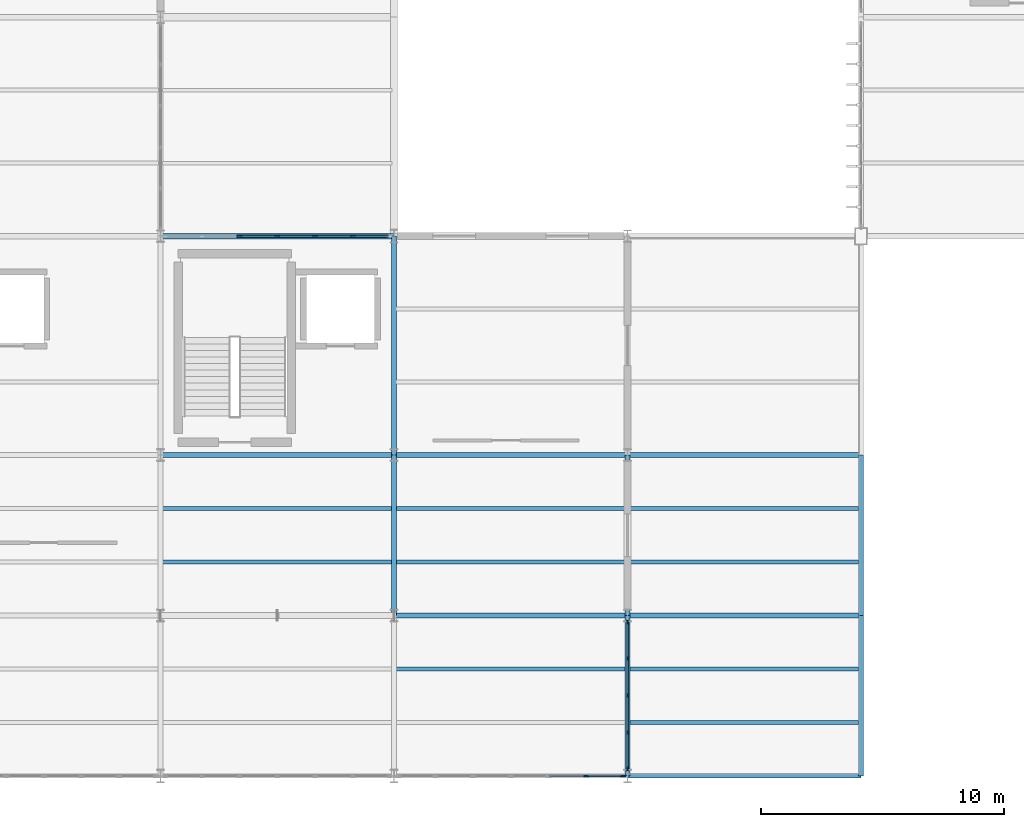
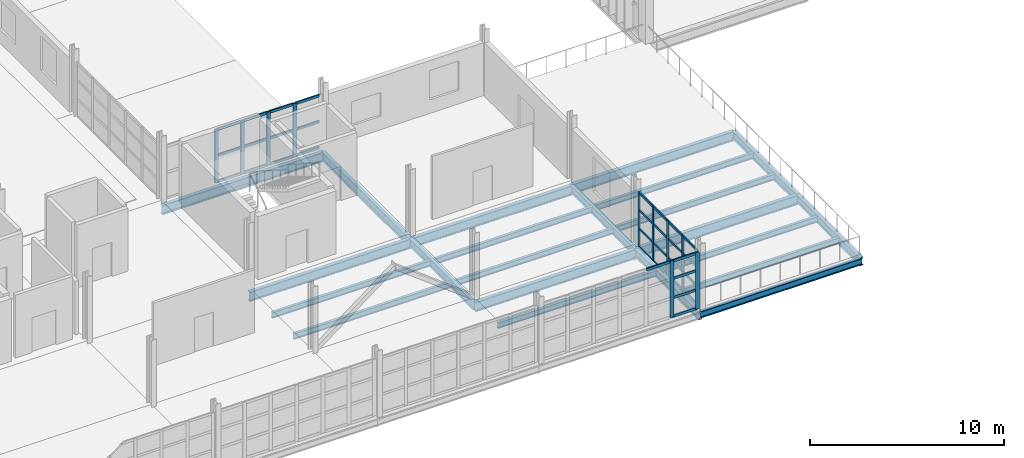
# One storey, part 17 of 82: 44 members, 22 beams, 3 elements without a shape of their own.
"""IFC4 building model written with IfcOpenShell, lengths in metres."""

from ifc_helpers import new_model, si_unit, direction, frame, origin, origin_2d, place, context, subcontext, project, spatial, rectangle, i_section, extrude, material, layer, layer_set, material_profile, profile_set, type_object, element, aggregate, save


model = new_model("IFC4")

# Units and contexts
model_context = context("Model", 3, precision=1e-05, world=origin(), true_north=direction((0.0, 1.0)))
body_context = subcontext(model_context, "Body", "Model", "MODEL_VIEW")
ifc_project = project(units=[si_unit("LENGTHUNIT", "METRE"), si_unit("AREAUNIT", "SQUARE_METRE"), si_unit("VOLUMEUNIT", "CUBIC_METRE"), si_unit("PLANEANGLEUNIT", "RADIAN"), si_unit("MASSUNIT", "GRAM", prefix="KILO")], contexts=[model_context])

# Site, building, storey
site_placement = place(None, origin())
site = spatial("IfcSite", under=ifc_project, at=site_placement, CompositionType="ELEMENT")
building_placement = place(site_placement, origin())
building = spatial("IfcBuilding", under=site, at=building_placement, Name="Zarnetskaya Central Station", CompositionType="ELEMENT")
storey_placement = place(building_placement, frame((0.0, 0.0, 10.199951171875)))
storey = spatial("IfcBuildingStorey", under=building, at=storey_placement, Name="L02", CompositionType="ELEMENT", Elevation=10.199951171875)

# Beams
ifc_material_1 = material(Name="Steel S355", Category="steel")
ifc_material_profile_1 = material_profile(ifc_material_1, i_section(OverallWidth=0.169921875, OverallDepth=0.360107421875, WebThickness=0.008056640625, FlangeThickness=0.0126953125, FilletRadius=0.01806640625, at=origin_2d()), Name="IPE 360")
ifc_profile_set_1 = profile_set([ifc_material_profile_1], Name="Steel S355")
beam_type_1 = type_object("IfcBeamType", Name="BM-SEC-360", PredefinedType="BEAM", material=ifc_profile_set_1)
for number, where, z_axis, x_axis, name in (
    (1, (28.8798828125, 8.800048828125, -0.43994140625), (1.0, 0.0, 0.0), (0.0, 1.0, 0.0), "Secondary floor beam SEC-L02-Z994-DE-23-1"),
    (2, (28.8798828125, 11.0, -0.43994140625), (1.0, 0.0, 0.0), (0.0, 1.0, 0.0), "Secondary floor beam SEC-L02-Z994-DE-23-2"),
):
    element("IfcBeam", number, at=place(storey_placement, frame(where, z_axis=z_axis, x_axis=x_axis)), inside=storey, type_object=beam_type_1, Name=name, PredefinedType="BEAM", context=body_context, shape_type="SweptSolid", body=[
        extrude(i_section(OverallWidth=0.169921875, OverallDepth=0.360107421875, WebThickness=0.008056640625, FlangeThickness=0.0126953125, FilletRadius=0.01806640625, at=origin_2d()), origin(), (0.0, 0.0, 1.0), 9.440185546875),
    ])
for number, where, z_axis, x_axis, name in (
    (3, (38.47998046875, 4.39990234375, -0.43994140625), (1.0, 0.0, 0.0), (0.0, 1.0, 0.0), "Secondary floor beam SEC-L02-Z994-EF-12-2"),
    (4, (38.47998046875, 8.800048828125, -0.43994140625), (1.0, 0.0, 0.0), (0.0, 1.0, 0.0), "Secondary floor beam SEC-L02-Z994-EF-23-1"),
    (5, (38.47998046875, 11.0, -0.43994140625), (1.0, 0.0, 0.0), (0.0, 1.0, 0.0), "Secondary floor beam SEC-L02-Z994-EF-23-2"),
    (6, (48.080078125, 2.199951171875, -0.39990234375), (1.0, 0.0, 0.0), (0.0, 1.0, 0.0), "Secondary floor beam SEC-L02-Z998-FG-12-1"),
    (7, (48.080078125, 4.39990234375, -0.39990234375), (1.0, 0.0, 0.0), (0.0, 1.0, 0.0), "Secondary floor beam SEC-L02-Z998-FG-12-2"),
    (8, (48.080078125, 8.800048828125, -0.39990234375), (1.0, 0.0, 0.0), (0.0, 1.0, 0.0), "Secondary floor beam SEC-L02-Z998-FG-23-1"),
    (9, (48.080078125, 11.0, -0.39990234375), (1.0, 0.0, 0.0), (0.0, 1.0, 0.0), "Secondary floor beam SEC-L02-Z998-FG-23-2"),
):
    element("IfcBeam", number, at=place(storey_placement, frame(where, z_axis=z_axis, x_axis=x_axis)), inside=storey, type_object=beam_type_1, Name=name, PredefinedType="BEAM", context=body_context, shape_type="SweptSolid", body=[
        extrude(i_section(OverallWidth=0.169921875, OverallDepth=0.360107421875, WebThickness=0.008056640625, FlangeThickness=0.0126953125, FilletRadius=0.01806640625, at=origin_2d()), origin(), (0.0, 0.0, 1.0), 9.43994140625),
    ])
ifc_material_profile_2 = material_profile(ifc_material_1, i_section(OverallWidth=0.179931640625, OverallDepth=0.39990234375, WebThickness=0.008544921875, FlangeThickness=0.013427734375, FilletRadius=0.02099609375, at=origin_2d()), Name="IPE 400")
ifc_profile_set_2 = profile_set([ifc_material_profile_2], Name="Steel S355")
beam_type_2 = type_object("IfcBeamType", Name="BM-SPN-V5", PredefinedType="SPANDREL", material=ifc_profile_set_2)
beam_1_placement = place(storey_placement, frame((48.0, 0.0, -0.419921875), z_axis=(1.0, 0.0, 0.0), x_axis=(0.0, 1.0, 0.0)))
element("IfcBeam", 10, at=beam_1_placement, inside=storey, type_object=beam_type_2, Name="Grid girder GX-L02-1-FG", PredefinedType="SPANDREL", context=body_context, shape_type="SweptSolid", body=[
    extrude(i_section(OverallWidth=0.179931640625, OverallDepth=0.39990234375, WebThickness=0.008544921875, FlangeThickness=0.013427734375, FilletRadius=0.02099609375, at=origin_2d()), origin(), (0.0, 0.0, 1.0), 9.60009765625),
])

# Curtain wall, members
ifc_material_2 = material(Name="Low-E insulated glass", Category="glass")
ifc_layer_1 = layer(ifc_material_2, 0.159912109375, Name="Low-E insulated glass", Category="glass")
ifc_layer_set_1 = layer_set([ifc_layer_1], Name="Low-E insulated glass")
curtain_wall_type_1 = type_object("IfcCurtainWallType", Name="CW-SYS-06", PredefinedType="USERDEFINED", material=ifc_layer_set_1)
curtain_wall_1_placement = place(storey_placement, origin())
curtain_wall_1 = element("IfcCurtainWall", 11, at=curtain_wall_1_placement, inside=storey, type_object=curtain_wall_type_1, Name="Curtain wall CW-L02-025", ObjectType="CURTAIN WALL", PredefinedType="USERDEFINED")
ifc_material_3 = material(Name="Anodised aluminium", Category="aluminium")
ifc_material_profile_3 = material_profile(ifc_material_3, rectangle(XDim=0.070068359375, YDim=0.179931640625, at=origin_2d()), Name="ALU MULL 70x180")
ifc_profile_set_3 = profile_set([ifc_material_profile_3], Name="Anodised aluminium")
member_type_1 = type_object("IfcMemberType", Name="CW-MULL-180", PredefinedType="MULLION", material=ifc_profile_set_3)
member_1_placement = place(storey_placement, frame((48.0, 6.31494140625, 0.0), z_axis=(0.0, 0.0, 1.0), x_axis=(1.0, 0.0, 0.0)))
member_1 = element("IfcMember", 12, at=member_1_placement, type_object=member_type_1, Name="CW-02 mullion 1", PredefinedType="MULLION", context=body_context, shape_type="SweptSolid", body=[
    extrude(rectangle(XDim=0.070068359375, YDim=0.179931640625, at=origin_2d()), origin(), (0.0, 0.0, 1.0), 3.449951171875),
])
member_2_placement = place(storey_placement, frame((48.0, 4.831298828125, 0.0), z_axis=(0.0, 0.0, 1.0), x_axis=(1.0, 0.0, 0.0)))
member_2 = element("IfcMember", 13, at=member_2_placement, type_object=member_type_1, Name="CW-02 mullion 2", PredefinedType="MULLION", context=body_context, shape_type="SweptSolid", body=[
    extrude(rectangle(XDim=0.070068359375, YDim=0.179931640625, at=origin_2d()), origin(), (0.0, 0.0, 1.0), 3.449951171875),
])
member_3_placement = place(storey_placement, frame((48.0, 3.3125, 0.0), z_axis=(0.0, 0.0, 1.0), x_axis=(1.0, 0.0, 0.0)))
member_3 = element("IfcMember", 14, at=member_3_placement, type_object=member_type_1, Name="CW-02 mullion 3", PredefinedType="MULLION", context=body_context, shape_type="SweptSolid", body=[
    extrude(rectangle(XDim=0.070068359375, YDim=0.179931640625, at=origin_2d()), origin(), (0.0, 0.0, 1.0), 3.449951171875),
])
member_4_placement = place(storey_placement, frame((48.0, 1.793701171875, 0.0), z_axis=(0.0, 0.0, 1.0), x_axis=(1.0, 0.0, 0.0)))
member_4 = element("IfcMember", 15, at=member_4_placement, type_object=member_type_1, Name="CW-02 mullion 4", PredefinedType="MULLION", context=body_context, shape_type="SweptSolid", body=[
    extrude(rectangle(XDim=0.070068359375, YDim=0.179931640625, at=origin_2d()), origin(), (0.0, 0.0, 1.0), 3.449951171875),
])
member_5_placement = place(storey_placement, frame((48.0, 0.31005859375, 0.0), z_axis=(0.0, 0.0, 1.0), x_axis=(1.0, 0.0, 0.0)))
member_5 = element("IfcMember", 16, at=member_5_placement, type_object=member_type_1, Name="CW-02 mullion 5", PredefinedType="MULLION", context=body_context, shape_type="SweptSolid", body=[
    extrude(rectangle(XDim=0.070068359375, YDim=0.179931640625, at=origin_2d()), origin(), (0.0, 0.0, 1.0), 3.449951171875),
])

ifc_layer_2 = layer(ifc_material_2, 0.172119140625, Name="Low-E insulated glass", Category="glass")
ifc_layer_set_2 = layer_set([ifc_layer_2], Name="Low-E insulated glass")
curtain_wall_type_2 = type_object("IfcCurtainWallType", Name="CW-SYS-04", PredefinedType="USERDEFINED", material=ifc_layer_set_2)
curtain_wall_2_placement = place(storey_placement, origin())
curtain_wall_2 = element("IfcCurtainWall", 17, at=curtain_wall_2_placement, inside=storey, type_object=curtain_wall_type_2, Name="Curtain wall CW-L02-024", ObjectType="CURTAIN WALL", PredefinedType="USERDEFINED")
ifc_material_profile_4 = material_profile(ifc_material_3, rectangle(XDim=0.080078125, YDim=0.219970703125, at=origin_2d()), Name="ALU MULL 80x220")
ifc_profile_set_4 = profile_set([ifc_material_profile_4], Name="Anodised aluminium")
member_type_2 = type_object("IfcMemberType", Name="CW-MULL-220", PredefinedType="MULLION", material=ifc_profile_set_4)
member_6_placement = place(storey_placement, frame((32.050048828125, 22.199951171875, 0.0), z_axis=(0.0, 0.0, 1.0), x_axis=(0.0, 1.0, 0.0)))
member_6 = element("IfcMember", 18, at=member_6_placement, type_object=member_type_2, Name="CW-15 mullion 3", PredefinedType="MULLION", context=body_context, shape_type="SweptSolid", body=[
    extrude(rectangle(XDim=0.080078125, YDim=0.219970703125, at=origin_2d()), origin(), (0.0, 0.0, 1.0), 3.35009765625),
])
member_7_placement = place(storey_placement, frame((33.60009765625, 22.199951171875, 0.0), z_axis=(0.0, 0.0, 1.0), x_axis=(0.0, 1.0, 0.0)))
member_7 = element("IfcMember", 19, at=member_7_placement, type_object=member_type_2, Name="CW-15 mullion 4", PredefinedType="MULLION", context=body_context, shape_type="SweptSolid", body=[
    extrude(rectangle(XDim=0.080078125, YDim=0.219970703125, at=origin_2d()), origin(), (0.0, 0.0, 1.0), 3.35009765625),
])
member_8_placement = place(storey_placement, frame((35.14990234375, 22.199951171875, 0.0), z_axis=(0.0, 0.0, 1.0), x_axis=(0.0, 1.0, 0.0)))
member_8 = element("IfcMember", 20, at=member_8_placement, type_object=member_type_2, Name="CW-15 mullion 5", PredefinedType="MULLION", context=body_context, shape_type="SweptSolid", body=[
    extrude(rectangle(XDim=0.080078125, YDim=0.219970703125, at=origin_2d()), origin(), (0.0, 0.0, 1.0), 3.35009765625),
])
member_9_placement = place(storey_placement, frame((36.699951171875, 22.199951171875, 0.0), z_axis=(0.0, 0.0, 1.0), x_axis=(0.0, 1.0, 0.0)))
member_9 = element("IfcMember", 21, at=member_9_placement, type_object=member_type_2, Name="CW-15 mullion 6", PredefinedType="MULLION", context=body_context, shape_type="SweptSolid", body=[
    extrude(rectangle(XDim=0.080078125, YDim=0.219970703125, at=origin_2d()), origin(), (0.0, 0.0, 1.0), 3.35009765625),
])

curtain_wall_3_placement = place(storey_placement, origin())
curtain_wall_3 = element("IfcCurtainWall", 22, at=curtain_wall_3_placement, inside=storey, type_object=curtain_wall_type_2, Name="Curtain wall CW-L02-026", ObjectType="CURTAIN WALL", PredefinedType="USERDEFINED")
member_10_placement = place(storey_placement, frame((47.81005859375, 0.0, 0.0), z_axis=(0.0, 0.0, 1.0), x_axis=(0.0, -1.0, 0.0)))
member_10 = element("IfcMember", 23, at=member_10_placement, type_object=member_type_2, Name="CW-15 mullion 1", PredefinedType="MULLION", context=body_context, shape_type="SweptSolid", body=[
    extrude(rectangle(XDim=0.080078125, YDim=0.219970703125, at=origin_2d()), origin(), (0.0, 0.0, 1.0), 3.550048828125),
])
member_11_placement = place(storey_placement, frame((46.300048828125, 0.0, 0.0), z_axis=(0.0, 0.0, 1.0), x_axis=(0.0, -1.0, 0.0)))
member_11 = element("IfcMember", 24, at=member_11_placement, type_object=member_type_2, Name="CW-15 mullion 2", PredefinedType="MULLION", context=body_context, shape_type="SweptSolid", body=[
    extrude(rectangle(XDim=0.080078125, YDim=0.219970703125, at=origin_2d()), origin(), (0.0, 0.0, 1.0), 3.550048828125),
])

# Member
ifc_material_profile_5 = material_profile(ifc_material_3, rectangle(XDim=0.070068359375, YDim=0.139892578125, at=origin_2d()), Name="ALU TRAN 70x140")
ifc_profile_set_5 = profile_set([ifc_material_profile_5], Name="Anodised aluminium")
member_type_3 = type_object("IfcMemberType", Name="CW-TRAN-140", PredefinedType="USERDEFINED", material=ifc_profile_set_5)
member_12_placement = place(storey_placement, frame((48.0, 6.280029296875, 0.03515625), z_axis=(0.0, -1.0, 0.0), x_axis=(1.0, 0.0, 0.0)))
member_12 = element("IfcMember", 25, at=member_12_placement, type_object=member_type_3, Name="CW-02 transom 1.1", ObjectType="TRANSOM", PredefinedType="USERDEFINED", context=body_context, shape_type="SweptSolid", body=[
    extrude(rectangle(XDim=0.070068359375, YDim=0.139892578125, at=origin_2d()), origin(), (0.0, 0.0, 1.0), 1.413818359375),
])

member_13_placement = place(storey_placement, frame((48.0, 6.280029296875, 1.173095703125), z_axis=(0.0, -1.0, 0.0), x_axis=(1.0, 0.0, 0.0)))
member_13 = element("IfcMember", 26, at=member_13_placement, type_object=member_type_3, Name="CW-02 transom 1.2", ObjectType="TRANSOM", PredefinedType="USERDEFINED", context=body_context, shape_type="SweptSolid", body=[
    extrude(rectangle(XDim=0.070068359375, YDim=0.139892578125, at=origin_2d()), origin(), (0.0, 0.0, 1.0), 1.413818359375),
])

member_14_placement = place(storey_placement, frame((48.0, 6.280029296875, 2.345947265625), z_axis=(0.0, -1.0, 0.0), x_axis=(1.0, 0.0, 0.0)))
member_14 = element("IfcMember", 27, at=member_14_placement, type_object=member_type_3, Name="CW-02 transom 1.3", ObjectType="TRANSOM", PredefinedType="USERDEFINED", context=body_context, shape_type="SweptSolid", body=[
    extrude(rectangle(XDim=0.070068359375, YDim=0.139892578125, at=origin_2d()), origin(), (0.0, 0.0, 1.0), 1.413818359375),
])

member_15_placement = place(storey_placement, frame((48.0, 6.280029296875, 3.4150390625), z_axis=(0.0, -1.0, 0.0), x_axis=(1.0, 0.0, 0.0)))
member_15 = element("IfcMember", 28, at=member_15_placement, type_object=member_type_3, Name="CW-02 transom 1.4", ObjectType="TRANSOM", PredefinedType="USERDEFINED", context=body_context, shape_type="SweptSolid", body=[
    extrude(rectangle(XDim=0.070068359375, YDim=0.139892578125, at=origin_2d()), origin(), (0.0, 0.0, 1.0), 1.413818359375),
])

member_16_placement = place(storey_placement, frame((48.0, 4.796142578125, 0.03515625), z_axis=(0.0, -1.0, 0.0), x_axis=(1.0, 0.0, 0.0)))
member_16 = element("IfcMember", 29, at=member_16_placement, type_object=member_type_3, Name="CW-02 transom 2.1", ObjectType="TRANSOM", PredefinedType="USERDEFINED", context=body_context, shape_type="SweptSolid", body=[
    extrude(rectangle(XDim=0.070068359375, YDim=0.139892578125, at=origin_2d()), origin(), (0.0, 0.0, 1.0), 1.44873046875),
])

member_17_placement = place(storey_placement, frame((48.0, 4.796142578125, 1.173095703125), z_axis=(0.0, -1.0, 0.0), x_axis=(1.0, 0.0, 0.0)))
member_17 = element("IfcMember", 30, at=member_17_placement, type_object=member_type_3, Name="CW-02 transom 2.2", ObjectType="TRANSOM", PredefinedType="USERDEFINED", context=body_context, shape_type="SweptSolid", body=[
    extrude(rectangle(XDim=0.070068359375, YDim=0.139892578125, at=origin_2d()), origin(), (0.0, 0.0, 1.0), 1.44873046875),
])

member_18_placement = place(storey_placement, frame((48.0, 4.796142578125, 2.345947265625), z_axis=(0.0, -1.0, 0.0), x_axis=(1.0, 0.0, 0.0)))
member_18 = element("IfcMember", 31, at=member_18_placement, type_object=member_type_3, Name="CW-02 transom 2.3", ObjectType="TRANSOM", PredefinedType="USERDEFINED", context=body_context, shape_type="SweptSolid", body=[
    extrude(rectangle(XDim=0.070068359375, YDim=0.139892578125, at=origin_2d()), origin(), (0.0, 0.0, 1.0), 1.44873046875),
])

member_19_placement = place(storey_placement, frame((48.0, 4.796142578125, 3.4150390625), z_axis=(0.0, -1.0, 0.0), x_axis=(1.0, 0.0, 0.0)))
member_19 = element("IfcMember", 32, at=member_19_placement, type_object=member_type_3, Name="CW-02 transom 2.4", ObjectType="TRANSOM", PredefinedType="USERDEFINED", context=body_context, shape_type="SweptSolid", body=[
    extrude(rectangle(XDim=0.070068359375, YDim=0.139892578125, at=origin_2d()), origin(), (0.0, 0.0, 1.0), 1.44873046875),
])

member_20_placement = place(storey_placement, frame((48.0, 3.277587890625, 0.03515625), z_axis=(0.0, -1.0, 0.0), x_axis=(1.0, 0.0, 0.0)))
member_20 = element("IfcMember", 33, at=member_20_placement, type_object=member_type_3, Name="CW-02 transom 3.1", ObjectType="TRANSOM", PredefinedType="USERDEFINED", context=body_context, shape_type="SweptSolid", body=[
    extrude(rectangle(XDim=0.070068359375, YDim=0.139892578125, at=origin_2d()), origin(), (0.0, 0.0, 1.0), 1.44873046875),
])

member_21_placement = place(storey_placement, frame((48.0, 3.277587890625, 1.173095703125), z_axis=(0.0, -1.0, 0.0), x_axis=(1.0, 0.0, 0.0)))
member_21 = element("IfcMember", 34, at=member_21_placement, type_object=member_type_3, Name="CW-02 transom 3.2", ObjectType="TRANSOM", PredefinedType="USERDEFINED", context=body_context, shape_type="SweptSolid", body=[
    extrude(rectangle(XDim=0.070068359375, YDim=0.139892578125, at=origin_2d()), origin(), (0.0, 0.0, 1.0), 1.44873046875),
])

member_22_placement = place(storey_placement, frame((48.0, 3.277587890625, 2.345947265625), z_axis=(0.0, -1.0, 0.0), x_axis=(1.0, 0.0, 0.0)))
member_22 = element("IfcMember", 35, at=member_22_placement, type_object=member_type_3, Name="CW-02 transom 3.3", ObjectType="TRANSOM", PredefinedType="USERDEFINED", context=body_context, shape_type="SweptSolid", body=[
    extrude(rectangle(XDim=0.070068359375, YDim=0.139892578125, at=origin_2d()), origin(), (0.0, 0.0, 1.0), 1.44873046875),
])

member_23_placement = place(storey_placement, frame((48.0, 3.277587890625, 3.4150390625), z_axis=(0.0, -1.0, 0.0), x_axis=(1.0, 0.0, 0.0)))
member_23 = element("IfcMember", 36, at=member_23_placement, type_object=member_type_3, Name="CW-02 transom 3.4", ObjectType="TRANSOM", PredefinedType="USERDEFINED", context=body_context, shape_type="SweptSolid", body=[
    extrude(rectangle(XDim=0.070068359375, YDim=0.139892578125, at=origin_2d()), origin(), (0.0, 0.0, 1.0), 1.44873046875),
])

member_24_placement = place(storey_placement, frame((48.0, 1.7587890625, 0.03515625), z_axis=(0.0, -1.0, 0.0), x_axis=(1.0, 0.0, 0.0)))
member_24 = element("IfcMember", 37, at=member_24_placement, type_object=member_type_3, Name="CW-02 transom 4.1", ObjectType="TRANSOM", PredefinedType="USERDEFINED", context=body_context, shape_type="SweptSolid", body=[
    extrude(rectangle(XDim=0.070068359375, YDim=0.139892578125, at=origin_2d()), origin(), (0.0, 0.0, 1.0), 1.413818359375),
])

member_25_placement = place(storey_placement, frame((48.0, 1.7587890625, 1.173095703125), z_axis=(0.0, -1.0, 0.0), x_axis=(1.0, 0.0, 0.0)))
member_25 = element("IfcMember", 38, at=member_25_placement, type_object=member_type_3, Name="CW-02 transom 4.2", ObjectType="TRANSOM", PredefinedType="USERDEFINED", context=body_context, shape_type="SweptSolid", body=[
    extrude(rectangle(XDim=0.070068359375, YDim=0.139892578125, at=origin_2d()), origin(), (0.0, 0.0, 1.0), 1.413818359375),
])

member_26_placement = place(storey_placement, frame((48.0, 1.7587890625, 2.345947265625), z_axis=(0.0, -1.0, 0.0), x_axis=(1.0, 0.0, 0.0)))
member_26 = element("IfcMember", 39, at=member_26_placement, type_object=member_type_3, Name="CW-02 transom 4.3", ObjectType="TRANSOM", PredefinedType="USERDEFINED", context=body_context, shape_type="SweptSolid", body=[
    extrude(rectangle(XDim=0.070068359375, YDim=0.139892578125, at=origin_2d()), origin(), (0.0, 0.0, 1.0), 1.413818359375),
])

member_27_placement = place(storey_placement, frame((48.0, 1.7587890625, 3.4150390625), z_axis=(0.0, -1.0, 0.0), x_axis=(1.0, 0.0, 0.0)))
member_27 = element("IfcMember", 40, at=member_27_placement, type_object=member_type_3, Name="CW-02 transom 4.4", ObjectType="TRANSOM", PredefinedType="USERDEFINED", context=body_context, shape_type="SweptSolid", body=[
    extrude(rectangle(XDim=0.070068359375, YDim=0.139892578125, at=origin_2d()), origin(), (0.0, 0.0, 1.0), 1.413818359375),
])

aggregate(curtain_wall_1, [member_1, member_2, member_3, member_4, member_5, member_12, member_13, member_14, member_15, member_16, member_17, member_18, member_19, member_20, member_21, member_22, member_23, member_24, member_25, member_26, member_27])

ifc_material_profile_6 = material_profile(ifc_material_3, rectangle(XDim=0.080078125, YDim=0.159912109375, at=origin_2d()), Name="ALU TRAN 80x160")
ifc_profile_set_6 = profile_set([ifc_material_profile_6], Name="Anodised aluminium")
member_type_4 = type_object("IfcMemberType", Name="CW-TRAN-160", PredefinedType="USERDEFINED", material=ifc_profile_set_6)
member_28_placement = place(storey_placement, frame((32.090087890625, 22.199951171875, 0.0400390625), z_axis=(1.0, 0.0, 0.0), x_axis=(0.0, 1.0, 0.0)))
member_28 = element("IfcMember", 41, at=member_28_placement, type_object=member_type_4, Name="CW-15 transom 3.1", ObjectType="TRANSOM", PredefinedType="USERDEFINED", context=body_context, shape_type="SweptSolid", body=[
    extrude(rectangle(XDim=0.080078125, YDim=0.159912109375, at=origin_2d()), origin(), (0.0, 0.0, 1.0), 1.469970703125),
])

member_29_placement = place(storey_placement, frame((32.090087890625, 22.199951171875, 1.675048828125), z_axis=(1.0, 0.0, 0.0), x_axis=(0.0, 1.0, 0.0)))
member_29 = element("IfcMember", 42, at=member_29_placement, type_object=member_type_4, Name="CW-15 transom 3.2", ObjectType="TRANSOM", PredefinedType="USERDEFINED", context=body_context, shape_type="SweptSolid", body=[
    extrude(rectangle(XDim=0.080078125, YDim=0.159912109375, at=origin_2d()), origin(), (0.0, 0.0, 1.0), 1.469970703125),
])

member_30_placement = place(storey_placement, frame((32.090087890625, 22.199951171875, 3.31005859375), z_axis=(1.0, 0.0, 0.0), x_axis=(0.0, 1.0, 0.0)))
member_30 = element("IfcMember", 43, at=member_30_placement, type_object=member_type_4, Name="CW-15 transom 3.3", ObjectType="TRANSOM", PredefinedType="USERDEFINED", context=body_context, shape_type="SweptSolid", body=[
    extrude(rectangle(XDim=0.080078125, YDim=0.159912109375, at=origin_2d()), origin(), (0.0, 0.0, 1.0), 1.469970703125),
])

member_31_placement = place(storey_placement, frame((33.639892578125, 22.199951171875, 0.0400390625), z_axis=(1.0, 0.0, 0.0), x_axis=(0.0, 1.0, 0.0)))
member_31 = element("IfcMember", 44, at=member_31_placement, type_object=member_type_4, Name="CW-15 transom 4.1", ObjectType="TRANSOM", PredefinedType="USERDEFINED", context=body_context, shape_type="SweptSolid", body=[
    extrude(rectangle(XDim=0.080078125, YDim=0.159912109375, at=origin_2d()), origin(), (0.0, 0.0, 1.0), 1.47021484375),
])

member_32_placement = place(storey_placement, frame((33.639892578125, 22.199951171875, 1.675048828125), z_axis=(1.0, 0.0, 0.0), x_axis=(0.0, 1.0, 0.0)))
member_32 = element("IfcMember", 45, at=member_32_placement, type_object=member_type_4, Name="CW-15 transom 4.2", ObjectType="TRANSOM", PredefinedType="USERDEFINED", context=body_context, shape_type="SweptSolid", body=[
    extrude(rectangle(XDim=0.080078125, YDim=0.159912109375, at=origin_2d()), origin(), (0.0, 0.0, 1.0), 1.47021484375),
])

member_33_placement = place(storey_placement, frame((33.639892578125, 22.199951171875, 3.31005859375), z_axis=(1.0, 0.0, 0.0), x_axis=(0.0, 1.0, 0.0)))
member_33 = element("IfcMember", 46, at=member_33_placement, type_object=member_type_4, Name="CW-15 transom 4.3", ObjectType="TRANSOM", PredefinedType="USERDEFINED", context=body_context, shape_type="SweptSolid", body=[
    extrude(rectangle(XDim=0.080078125, YDim=0.159912109375, at=origin_2d()), origin(), (0.0, 0.0, 1.0), 1.47021484375),
])

member_34_placement = place(storey_placement, frame((35.18994140625, 22.199951171875, 0.0400390625), z_axis=(1.0, 0.0, 0.0), x_axis=(0.0, 1.0, 0.0)))
member_34 = element("IfcMember", 47, at=member_34_placement, type_object=member_type_4, Name="CW-15 transom 5.1", ObjectType="TRANSOM", PredefinedType="USERDEFINED", context=body_context, shape_type="SweptSolid", body=[
    extrude(rectangle(XDim=0.080078125, YDim=0.159912109375, at=origin_2d()), origin(), (0.0, 0.0, 1.0), 1.469970703125),
])

member_35_placement = place(storey_placement, frame((35.18994140625, 22.199951171875, 1.675048828125), z_axis=(1.0, 0.0, 0.0), x_axis=(0.0, 1.0, 0.0)))
member_35 = element("IfcMember", 48, at=member_35_placement, type_object=member_type_4, Name="CW-15 transom 5.2", ObjectType="TRANSOM", PredefinedType="USERDEFINED", context=body_context, shape_type="SweptSolid", body=[
    extrude(rectangle(XDim=0.080078125, YDim=0.159912109375, at=origin_2d()), origin(), (0.0, 0.0, 1.0), 1.469970703125),
])

member_36_placement = place(storey_placement, frame((35.18994140625, 22.199951171875, 3.31005859375), z_axis=(1.0, 0.0, 0.0), x_axis=(0.0, 1.0, 0.0)))
member_36 = element("IfcMember", 49, at=member_36_placement, type_object=member_type_4, Name="CW-15 transom 5.3", ObjectType="TRANSOM", PredefinedType="USERDEFINED", context=body_context, shape_type="SweptSolid", body=[
    extrude(rectangle(XDim=0.080078125, YDim=0.159912109375, at=origin_2d()), origin(), (0.0, 0.0, 1.0), 1.469970703125),
])

member_37_placement = place(storey_placement, frame((36.739990234375, 22.199951171875, 0.0400390625), z_axis=(1.0, 0.0, 0.0), x_axis=(0.0, 1.0, 0.0)))
member_37 = element("IfcMember", 50, at=member_37_placement, type_object=member_type_4, Name="CW-15 transom 6.1", ObjectType="TRANSOM", PredefinedType="USERDEFINED", context=body_context, shape_type="SweptSolid", body=[
    extrude(rectangle(XDim=0.080078125, YDim=0.159912109375, at=origin_2d()), origin(), (0.0, 0.0, 1.0), 1.429931640625),
])

member_38_placement = place(storey_placement, frame((36.739990234375, 22.199951171875, 1.675048828125), z_axis=(1.0, 0.0, 0.0), x_axis=(0.0, 1.0, 0.0)))
member_38 = element("IfcMember", 51, at=member_38_placement, type_object=member_type_4, Name="CW-15 transom 6.2", ObjectType="TRANSOM", PredefinedType="USERDEFINED", context=body_context, shape_type="SweptSolid", body=[
    extrude(rectangle(XDim=0.080078125, YDim=0.159912109375, at=origin_2d()), origin(), (0.0, 0.0, 1.0), 1.429931640625),
])

member_39_placement = place(storey_placement, frame((36.739990234375, 22.199951171875, 3.31005859375), z_axis=(1.0, 0.0, 0.0), x_axis=(0.0, 1.0, 0.0)))
member_39 = element("IfcMember", 52, at=member_39_placement, type_object=member_type_4, Name="CW-15 transom 6.3", ObjectType="TRANSOM", PredefinedType="USERDEFINED", context=body_context, shape_type="SweptSolid", body=[
    extrude(rectangle(XDim=0.080078125, YDim=0.159912109375, at=origin_2d()), origin(), (0.0, 0.0, 1.0), 1.429931640625),
])

aggregate(curtain_wall_2, [member_6, member_7, member_8, member_9, member_28, member_29, member_30, member_31, member_32, member_33, member_34, member_35, member_36, member_37, member_38, member_39])

member_40_placement = place(storey_placement, frame((47.77001953125, 0.0, 0.0400390625), z_axis=(-1.0, 0.0, 0.0), x_axis=(0.0, -1.0, 0.0)))
member_40 = element("IfcMember", 53, at=member_40_placement, type_object=member_type_4, Name="CW-15 transom 1.1", ObjectType="TRANSOM", PredefinedType="USERDEFINED", context=body_context, shape_type="SweptSolid", body=[
    extrude(rectangle(XDim=0.080078125, YDim=0.159912109375, at=origin_2d()), origin(), (0.0, 0.0, 1.0), 1.429931640625),
])

member_41_placement = place(storey_placement, frame((47.77001953125, 0.0, 1.20703125), z_axis=(-1.0, 0.0, 0.0), x_axis=(0.0, -1.0, 0.0)))
member_41 = element("IfcMember", 54, at=member_41_placement, type_object=member_type_4, Name="CW-15 transom 1.2", ObjectType="TRANSOM", PredefinedType="USERDEFINED", context=body_context, shape_type="SweptSolid", body=[
    extrude(rectangle(XDim=0.080078125, YDim=0.159912109375, at=origin_2d()), origin(), (0.0, 0.0, 1.0), 1.429931640625),
])

member_42_placement = place(storey_placement, frame((47.77001953125, 0.0, 2.4140625), z_axis=(-1.0, 0.0, 0.0), x_axis=(0.0, -1.0, 0.0)))
member_42 = element("IfcMember", 55, at=member_42_placement, type_object=member_type_4, Name="CW-15 transom 1.3", ObjectType="TRANSOM", PredefinedType="USERDEFINED", context=body_context, shape_type="SweptSolid", body=[
    extrude(rectangle(XDim=0.080078125, YDim=0.159912109375, at=origin_2d()), origin(), (0.0, 0.0, 1.0), 1.429931640625),
])

member_43_placement = place(storey_placement, frame((47.77001953125, 0.0, 3.510009765625), z_axis=(-1.0, 0.0, 0.0), x_axis=(0.0, -1.0, 0.0)))
member_43 = element("IfcMember", 56, at=member_43_placement, type_object=member_type_4, Name="CW-15 transom 1.4", ObjectType="TRANSOM", PredefinedType="USERDEFINED", context=body_context, shape_type="SweptSolid", body=[
    extrude(rectangle(XDim=0.080078125, YDim=0.159912109375, at=origin_2d()), origin(), (0.0, 0.0, 1.0), 1.429931640625),
])

member_44_placement = place(storey_placement, frame((46.260009765625, 0.0, 3.510009765625), z_axis=(-1.0, 0.0, 0.0), x_axis=(0.0, -1.0, 0.0)))
member_44 = element("IfcMember", 57, at=member_44_placement, type_object=member_type_4, Name="CW-15 transom 2.4", ObjectType="TRANSOM", PredefinedType="USERDEFINED", context=body_context, shape_type="SweptSolid", body=[
    extrude(rectangle(XDim=0.080078125, YDim=0.159912109375, at=origin_2d()), origin(), (0.0, 0.0, 1.0), 1.469970703125),
])

aggregate(curtain_wall_3, [member_10, member_11, member_40, member_41, member_42, member_43, member_44])

# Beams
ifc_material_profile_7 = material_profile(ifc_material_1, i_section(OverallWidth=0.199951171875, OverallDepth=0.5, WebThickness=0.01025390625, FlangeThickness=0.01611328125, FilletRadius=0.02099609375, at=origin_2d()), Name="IPE 500")
ifc_profile_set_7 = profile_set([ifc_material_profile_7], Name="Steel S355")
beam_type_3 = type_object("IfcBeamType", Name="GD-FLR-500", PredefinedType="USERDEFINED", material=ifc_profile_set_7)
beam_2_placement = place(storey_placement, frame((38.39990234375, 6.60009765625, -0.510009765625), z_axis=(0.0, 1.0, 0.0), x_axis=(-1.0, 0.0, 0.0)))
element("IfcBeam", 58, at=beam_2_placement, inside=storey, type_object=beam_type_3, Name="Grid girder GY-L02-E-23", ObjectType="GIRDER", PredefinedType="USERDEFINED", context=body_context, shape_type="SweptSolid", body=[
    extrude(i_section(OverallWidth=0.199951171875, OverallDepth=0.5, WebThickness=0.01025390625, FlangeThickness=0.01611328125, FilletRadius=0.02099609375, at=origin_2d()), origin(), (0.0, 0.0, 1.0), 6.599853515625),
])
beam_3_placement = place(storey_placement, frame((48.0, 0.0, -0.510009765625), z_axis=(0.0, 1.0, 0.0), x_axis=(-1.0, 0.0, 0.0)))
element("IfcBeam", 59, at=beam_3_placement, inside=storey, type_object=beam_type_3, Name="Grid girder GY-L02-F-12", ObjectType="GIRDER", PredefinedType="USERDEFINED", context=body_context, shape_type="SweptSolid", body=[
    extrude(i_section(OverallWidth=0.199951171875, OverallDepth=0.5, WebThickness=0.01025390625, FlangeThickness=0.01611328125, FilletRadius=0.02099609375, at=origin_2d()), origin(), (0.0, 0.0, 1.0), 6.60009765625),
])
beam_4_placement = place(storey_placement, frame((48.0, 6.60009765625, -0.510009765625), z_axis=(0.0, 1.0, 0.0), x_axis=(-1.0, 0.0, 0.0)))
element("IfcBeam", 60, at=beam_4_placement, inside=storey, type_object=beam_type_3, Name="Grid girder GY-L02-F-23", ObjectType="GIRDER", PredefinedType="USERDEFINED", context=body_context, shape_type="SweptSolid", body=[
    extrude(i_section(OverallWidth=0.199951171875, OverallDepth=0.5, WebThickness=0.01025390625, FlangeThickness=0.01611328125, FilletRadius=0.02099609375, at=origin_2d()), origin(), (0.0, 0.0, 1.0), 6.599853515625),
])
beam_5_placement = place(storey_placement, frame((57.60009765625, 0.0, -0.469970703125), z_axis=(0.0, 1.0, 0.0), x_axis=(-1.0, 0.0, 0.0)))
element("IfcBeam", 61, at=beam_5_placement, inside=storey, type_object=beam_type_3, Name="Grid girder GY-L02-G-12", ObjectType="GIRDER", PredefinedType="USERDEFINED", context=body_context, shape_type="SweptSolid", body=[
    extrude(i_section(OverallWidth=0.199951171875, OverallDepth=0.5, WebThickness=0.01025390625, FlangeThickness=0.01611328125, FilletRadius=0.02099609375, at=origin_2d()), origin(), (0.0, 0.0, 1.0), 6.60009765625),
])
beam_6_placement = place(storey_placement, frame((57.60009765625, 6.60009765625, -0.469970703125), z_axis=(0.0, 1.0, 0.0), x_axis=(-1.0, 0.0, 0.0)))
element("IfcBeam", 62, at=beam_6_placement, inside=storey, type_object=beam_type_3, Name="Grid girder GY-L02-G-23", ObjectType="GIRDER", PredefinedType="USERDEFINED", context=body_context, shape_type="SweptSolid", body=[
    extrude(i_section(OverallWidth=0.199951171875, OverallDepth=0.5, WebThickness=0.01025390625, FlangeThickness=0.01611328125, FilletRadius=0.02099609375, at=origin_2d()), origin(), (0.0, 0.0, 1.0), 6.599853515625),
])
ifc_material_profile_8 = material_profile(ifc_material_1, i_section(OverallWidth=0.2099609375, OverallDepth=0.550048828125, WebThickness=0.010986328125, FlangeThickness=0.01708984375, FilletRadius=0.02392578125, at=origin_2d()), Name="IPE 550")
ifc_profile_set_8 = profile_set([ifc_material_profile_8], Name="Steel S355")
beam_type_4 = type_object("IfcBeamType", Name="GD-FLR-550", PredefinedType="USERDEFINED", material=ifc_profile_set_8)
beam_7_placement = place(storey_placement, frame((38.39990234375, 13.199951171875, -0.534912109375), z_axis=(0.0, 1.0, 0.0), x_axis=(-1.0, 0.0, 0.0)))
element("IfcBeam", 63, at=beam_7_placement, inside=storey, type_object=beam_type_4, Name="Grid girder GY-L02-E-34", ObjectType="GIRDER", PredefinedType="USERDEFINED", context=body_context, shape_type="SweptSolid", body=[
    extrude(i_section(OverallWidth=0.2099609375, OverallDepth=0.550048828125, WebThickness=0.010986328125, FlangeThickness=0.01708984375, FilletRadius=0.02392578125, at=origin_2d()), origin(), (0.0, 0.0, 1.0), 9.0),
])
ifc_material_profile_9 = material_profile(ifc_material_1, i_section(OverallWidth=0.219970703125, OverallDepth=0.60009765625, WebThickness=0.011962890625, FlangeThickness=0.01904296875, FilletRadius=0.02392578125, at=origin_2d()), Name="IPE 600")
ifc_profile_set_9 = profile_set([ifc_material_profile_9], Name="Steel S355")
beam_type_5 = type_object("IfcBeamType", Name="GD-FLR-600", PredefinedType="USERDEFINED", material=ifc_profile_set_9)
for number, where, z_axis, x_axis, name in (
    (64, (28.800048828125, 13.199951171875, -0.56005859375), (1.0, 0.0, 0.0), (0.0, 1.0, 0.0), "Grid girder GX-L02-3-DE"),
    (65, (28.800048828125, 22.199951171875, -0.56005859375), (1.0, 0.0, 0.0), (0.0, 1.0, 0.0), "Grid girder GX-L02-4-DE"),
):
    element("IfcBeam", number, at=place(storey_placement, frame(where, z_axis=z_axis, x_axis=x_axis)), inside=storey, type_object=beam_type_5, Name=name, ObjectType="GIRDER", PredefinedType="USERDEFINED", context=body_context, shape_type="SweptSolid", body=[
        extrude(i_section(OverallWidth=0.219970703125, OverallDepth=0.60009765625, WebThickness=0.011962890625, FlangeThickness=0.01904296875, FilletRadius=0.02392578125, at=origin_2d()), origin(), (0.0, 0.0, 1.0), 9.599853515625),
    ])
for number, where, z_axis, x_axis, name in (
    (66, (38.39990234375, 6.60009765625, -0.56005859375), (1.0, 0.0, 0.0), (0.0, 1.0, 0.0), "Grid girder GX-L02-2-EF"),
    (67, (38.39990234375, 13.199951171875, -0.56005859375), (1.0, 0.0, 0.0), (0.0, 1.0, 0.0), "Grid girder GX-L02-3-EF"),
    (68, (48.0, 6.60009765625, -0.52001953125), (1.0, 0.0, 0.0), (0.0, 1.0, 0.0), "Grid girder GX-L02-2-FG"),
    (69, (48.0, 13.199951171875, -0.52001953125), (1.0, 0.0, 0.0), (0.0, 1.0, 0.0), "Grid girder GX-L02-3-FG"),
):
    element("IfcBeam", number, at=place(storey_placement, frame(where, z_axis=z_axis, x_axis=x_axis)), inside=storey, type_object=beam_type_5, Name=name, ObjectType="GIRDER", PredefinedType="USERDEFINED", context=body_context, shape_type="SweptSolid", body=[
        extrude(i_section(OverallWidth=0.219970703125, OverallDepth=0.60009765625, WebThickness=0.011962890625, FlangeThickness=0.01904296875, FilletRadius=0.02392578125, at=origin_2d()), origin(), (0.0, 0.0, 1.0), 9.60009765625),
    ])

save(model, "model.ifc")
